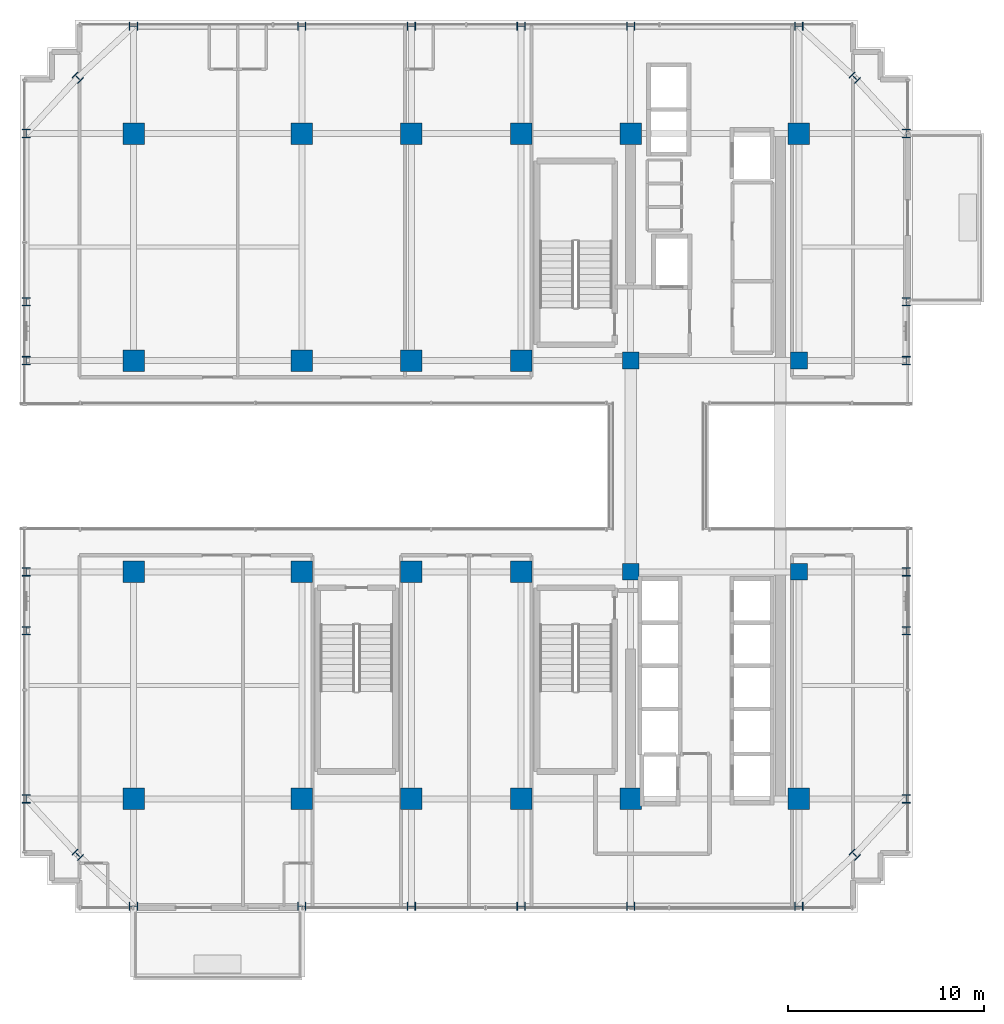
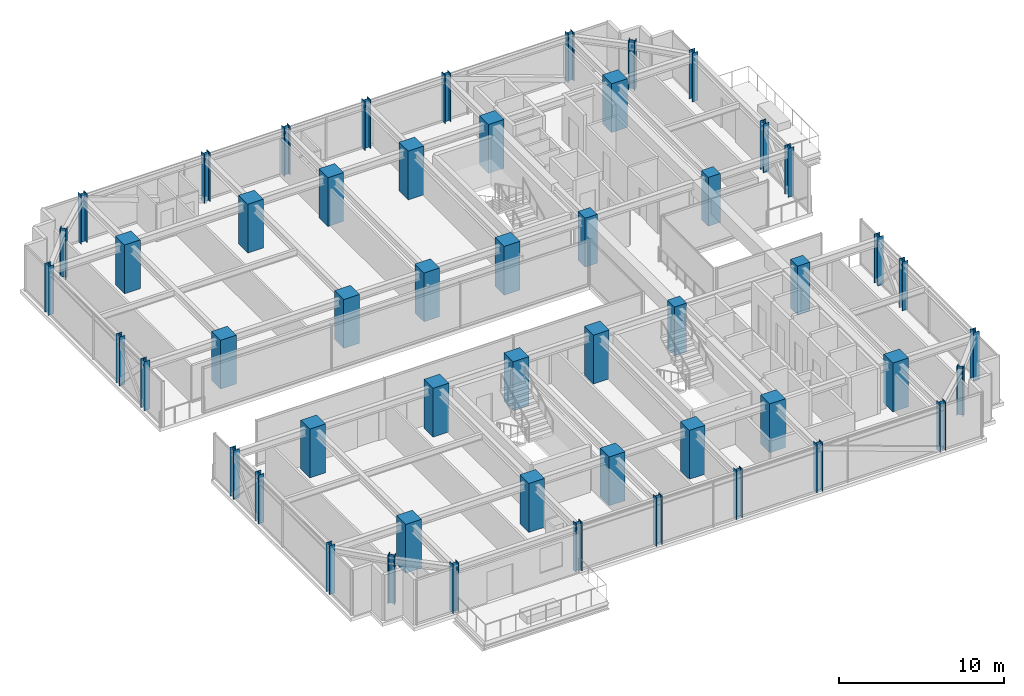
# One storey, part 1 of 38: 52 columns.
"""IFC4 building model written with IfcOpenShell, lengths in metres."""

from ifc_helpers import new_model, si_unit, direction, frame, origin, origin_2d, place, context, subcontext, project, spatial, rectangle, i_section, extrude, source, transform, mapped, material, material_profile, profile_set, type_object, element, save


model = new_model("IFC4")

# Units and contexts
model_context = context("Model", 3, precision=1e-05, world=origin(), true_north=direction((0.0, 1.0)))
body_context = subcontext(model_context, "Body", "Model", "MODEL_VIEW")
ifc_project = project(units=[si_unit("LENGTHUNIT", "METRE"), si_unit("AREAUNIT", "SQUARE_METRE"), si_unit("VOLUMEUNIT", "CUBIC_METRE"), si_unit("PLANEANGLEUNIT", "RADIAN"), si_unit("MASSUNIT", "GRAM", prefix="KILO")], contexts=[model_context])

# Site, building, storey
site_placement = place(None, origin())
site = spatial("IfcSite", under=ifc_project, at=site_placement, CompositionType="ELEMENT")
building_placement = place(site_placement, origin())
building = spatial("IfcBuilding", under=site, at=building_placement, Name="Nahalor Promenade Grand Hotel", CompositionType="ELEMENT")
storey_placement = place(building_placement, frame((0.0, 0.0, 178.199951171875)))
storey = spatial("IfcBuildingStorey", under=building, at=storey_placement, Name="L45", CompositionType="ELEMENT", Elevation=178.199951171875)

# Columns
ifc_material_1 = material(Name="Concrete B-70 (C60/75)", Category="concrete")
ifc_material_profile_1 = material_profile(ifc_material_1, rectangle(XDim=0.85, YDim=0.85, at=origin_2d()), Name="RC 850x850")
ifc_profile_set_1 = profile_set([ifc_material_profile_1], Name="Concrete B-70 (C60/75)")
column_type_1 = type_object("IfcColumnType", Name="Col-Pilaster-850", PredefinedType="PILASTER", material=ifc_profile_set_1)
shared_shape_1 = source(origin(), body_context, "Body", "SweptSolid", [
    extrude(rectangle(XDim=0.85, YDim=0.85, at=origin_2d()), origin(), (0.0, 0.0, 1.0), 3.60498046875),
])
for number, where, z_axis, x_axis, name in (
    (1, (8.39990234375, -5.39990234375, 0.0), (0.0, 0.0, 1.0), (1.0, 0.0, 0.0), "COL-L45-I41"),
    (2, (8.39990234375, 5.39990234375, 0.0), (0.0, 0.0, 1.0), (1.0, 0.0, 0.0), "COL-L45-I42"),
    (3, (17.0, -5.39990234375, 0.0), (0.0, 0.0, 1.0), (1.0, 0.0, 0.0), "COL-L45-I51"),
    (4, (17.0, 5.39990234375, 0.0), (0.0, 0.0, 1.0), (1.0, 0.0, 0.0), "COL-L45-I52"),
):
    element("IfcColumn", number, at=place(storey_placement, frame(where, z_axis=z_axis, x_axis=x_axis)), inside=storey, type_object=column_type_1, Name=name, PredefinedType="PILASTER", context=body_context, shape_type="MappedRepresentation", body=[
        mapped(shared_shape_1, transform((0.0, 0.0, 0.0), scale=1.0)),
    ])
ifc_material_2 = material(Name="Concrete B-60 (C50/60)", Category="concrete")
ifc_material_profile_2 = material_profile(ifc_material_2, rectangle(XDim=1.1, YDim=1.1, at=origin_2d()), Name="RC 1100x1100")
ifc_profile_set_2 = profile_set([ifc_material_profile_2], Name="Concrete B-60 (C50/60)")
column_type_2 = type_object("IfcColumnType", Name="Col-RC-1100", PredefinedType="COLUMN", material=ifc_profile_set_2)
shared_shape_2 = source(origin(), body_context, "Body", "SweptSolid", [
    extrude(rectangle(XDim=1.1, YDim=1.1, at=origin_2d()), origin(), (0.0, 0.0, 1.0), 3.60498046875),
])
for number, where, z_axis, x_axis, name in (
    (5, (-17.0, -17.0, 0.0), (0.0, 0.0, 1.0), (1.0, 0.0, 0.0), "COL-L45-I00"),
    (6, (-17.0, -5.39990234375, 0.0), (0.0, 0.0, 1.0), (1.0, 0.0, 0.0), "COL-L45-I01"),
    (7, (-17.0, 5.39990234375, 0.0), (0.0, 0.0, 1.0), (1.0, 0.0, 0.0), "COL-L45-I02"),
    (8, (-17.0, 17.0, 0.0), (0.0, 0.0, 1.0), (1.0, 0.0, 0.0), "COL-L45-I03"),
    (9, (-8.39990234375, -17.0, 0.0), (0.0, 0.0, 1.0), (1.0, 0.0, 0.0), "COL-L45-I10"),
    (10, (-8.39990234375, -5.39990234375, 0.0), (0.0, 0.0, 1.0), (1.0, 0.0, 0.0), "COL-L45-I11"),
    (11, (-8.39990234375, 5.39990234375, 0.0), (0.0, 0.0, 1.0), (1.0, 0.0, 0.0), "COL-L45-I12"),
    (12, (-8.39990234375, 17.0, 0.0), (0.0, 0.0, 1.0), (1.0, 0.0, 0.0), "COL-L45-I13"),
    (13, (-2.800048828125, -17.0, 0.0), (0.0, 0.0, 1.0), (1.0, 0.0, 0.0), "COL-L45-I20"),
    (14, (-2.800048828125, -5.39990234375, 0.0), (0.0, 0.0, 1.0), (1.0, 0.0, 0.0), "COL-L45-I21"),
    (15, (-2.800048828125, 5.39990234375, 0.0), (0.0, 0.0, 1.0), (1.0, 0.0, 0.0), "COL-L45-I22"),
    (16, (-2.800048828125, 17.0, 0.0), (0.0, 0.0, 1.0), (1.0, 0.0, 0.0), "COL-L45-I23"),
    (17, (2.800048828125, -17.0, 0.0), (0.0, 0.0, 1.0), (1.0, 0.0, 0.0), "COL-L45-I30"),
    (18, (2.800048828125, -5.39990234375, 0.0), (0.0, 0.0, 1.0), (1.0, 0.0, 0.0), "COL-L45-I31"),
    (19, (2.800048828125, 5.39990234375, 0.0), (0.0, 0.0, 1.0), (1.0, 0.0, 0.0), "COL-L45-I32"),
    (20, (2.800048828125, 17.0, 0.0), (0.0, 0.0, 1.0), (1.0, 0.0, 0.0), "COL-L45-I33"),
    (21, (8.39990234375, -17.0, 0.0), (0.0, 0.0, 1.0), (1.0, 0.0, 0.0), "COL-L45-I40"),
    (22, (8.39990234375, 17.0, 0.0), (0.0, 0.0, 1.0), (1.0, 0.0, 0.0), "COL-L45-I43"),
    (23, (17.0, -17.0, 0.0), (0.0, 0.0, 1.0), (1.0, 0.0, 0.0), "COL-L45-I50"),
    (24, (17.0, 17.0, 0.0), (0.0, 0.0, 1.0), (1.0, 0.0, 0.0), "COL-L45-I53"),
):
    element("IfcColumn", number, at=place(storey_placement, frame(where, z_axis=z_axis, x_axis=x_axis)), inside=storey, type_object=column_type_2, Name=name, PredefinedType="COLUMN", context=body_context, shape_type="MappedRepresentation", body=[
        mapped(shared_shape_2, transform((0.0, 0.0, 0.0), scale=1.0)),
    ])
ifc_material_3 = material(Name="Steel S355J2", Category="steel")
ifc_material_profile_3 = material_profile(ifc_material_3, i_section(OverallWidth=0.406, OverallDepth=0.422, WebThickness=0.019, FlangeThickness=0.0305, at=origin_2d()), Name="HD 400x382")
ifc_profile_set_3 = profile_set([ifc_material_profile_3], Name="Steel S355J2")
column_type_3 = type_object("IfcColumnType", Name="Col-Steel-HD382", PredefinedType="COLUMN", material=ifc_profile_set_3)
shared_shape_3 = source(origin(), body_context, "Body", "SweptSolid", [
    extrude(i_section(OverallWidth=0.406, OverallDepth=0.422, WebThickness=0.019, FlangeThickness=0.0305, at=origin_2d()), origin(), (0.0, 0.0, 1.0), 3.60498046875),
])
for number, where, z_axis, x_axis, name in (
    (25, (-22.47998046875, -17.0, 0.0), (0.0, 0.0, 1.0), (1.0, 0.0, 0.0), "COL-L45-PW-W0"),
    (26, (22.47998046875, -17.0, 0.0), (0.0, 0.0, 1.0), (1.0, 0.0, 0.0), "COL-L45-PW-E0"),
    (27, (-22.47998046875, -8.39990234375, 0.0), (0.0, 0.0, 1.0), (1.0, 0.0, 0.0), "COL-L45-PW-W1"),
    (28, (22.47998046875, -8.39990234375, 0.0), (0.0, 0.0, 1.0), (1.0, 0.0, 0.0), "COL-L45-PW-E1"),
    (29, (-22.47998046875, -5.39990234375, 0.0), (0.0, 0.0, 1.0), (1.0, 0.0, 0.0), "COL-L45-PW-W2"),
    (30, (22.47998046875, -5.39990234375, 0.0), (0.0, 0.0, 1.0), (1.0, 0.0, 0.0), "COL-L45-PW-E2"),
    (31, (-22.47998046875, 5.39990234375, 0.0), (0.0, 0.0, 1.0), (1.0, 0.0, 0.0), "COL-L45-PW-W3"),
    (32, (22.47998046875, 5.39990234375, 0.0), (0.0, 0.0, 1.0), (1.0, 0.0, 0.0), "COL-L45-PW-E3"),
    (33, (-22.47998046875, 8.39990234375, 0.0), (0.0, 0.0, 1.0), (1.0, 0.0, 0.0), "COL-L45-PW-W4"),
    (34, (22.47998046875, 8.39990234375, 0.0), (0.0, 0.0, 1.0), (1.0, 0.0, 0.0), "COL-L45-PW-E4"),
    (35, (-22.47998046875, 17.0, 0.0), (0.0, 0.0, 1.0), (1.0, 0.0, 0.0), "COL-L45-PW-W5"),
    (36, (22.47998046875, 17.0, 0.0), (0.0, 0.0, 1.0), (1.0, 0.0, 0.0), "COL-L45-PW-E5"),
    (37, (-17.0, -22.47998046875, 0.0), (0.0, 0.0, 1.0), (0.0, 1.0, 0.0), "COL-L45-PN-S0"),
    (38, (-17.0, 22.47998046875, 0.0), (0.0, 0.0, 1.0), (0.0, 1.0, 0.0), "COL-L45-PN-N0"),
    (39, (-8.39990234375, -22.47998046875, 0.0), (0.0, 0.0, 1.0), (0.0, 1.0, 0.0), "COL-L45-PN-S1"),
    (40, (-8.39990234375, 22.47998046875, 0.0), (0.0, 0.0, 1.0), (0.0, 1.0, 0.0), "COL-L45-PN-N1"),
    (41, (-2.800048828125, -22.47998046875, 0.0), (0.0, 0.0, 1.0), (0.0, 1.0, 0.0), "COL-L45-PN-S2"),
    (42, (-2.800048828125, 22.47998046875, 0.0), (0.0, 0.0, 1.0), (0.0, 1.0, 0.0), "COL-L45-PN-N2"),
    (43, (2.800048828125, -22.47998046875, 0.0), (0.0, 0.0, 1.0), (0.0, 1.0, 0.0), "COL-L45-PN-S3"),
    (44, (2.800048828125, 22.47998046875, 0.0), (0.0, 0.0, 1.0), (0.0, 1.0, 0.0), "COL-L45-PN-N3"),
    (45, (8.39990234375, -22.47998046875, 0.0), (0.0, 0.0, 1.0), (0.0, 1.0, 0.0), "COL-L45-PN-S4"),
    (46, (8.39990234375, 22.47998046875, 0.0), (0.0, 0.0, 1.0), (0.0, 1.0, 0.0), "COL-L45-PN-N4"),
    (47, (17.0, -22.47998046875, 0.0), (0.0, 0.0, 1.0), (0.0, 1.0, 0.0), "COL-L45-PN-S5"),
    (48, (17.0, 22.47998046875, 0.0), (0.0, 0.0, 1.0), (0.0, 1.0, 0.0), "COL-L45-PN-N5"),
    (49, (-19.85009765625, -19.85009765625, 0.0), (0.0, 0.0, 1.0), (0.707106781187, 0.707106781187, 0.0), "COL-L45-CRN-SW"),
    (50, (-19.85009765625, 19.85009765625, 0.0), (0.0, 0.0, 1.0), (0.707106781187, 0.707106781187, 0.0), "COL-L45-CRN-NW"),
    (51, (19.85009765625, -19.85009765625, 0.0), (0.0, 0.0, 1.0), (0.707106781187, 0.707106781187, 0.0), "COL-L45-CRN-SE"),
    (52, (19.85009765625, 19.85009765625, 0.0), (0.0, 0.0, 1.0), (0.707106781187, 0.707106781187, 0.0), "COL-L45-CRN-NE"),
):
    element("IfcColumn", number, at=place(storey_placement, frame(where, z_axis=z_axis, x_axis=x_axis)), inside=storey, type_object=column_type_3, Name=name, PredefinedType="COLUMN", context=body_context, shape_type="MappedRepresentation", body=[
        mapped(shared_shape_3, transform((0.0, 0.0, 0.0), scale=1.0)),
    ])

save(model, "model.ifc")
